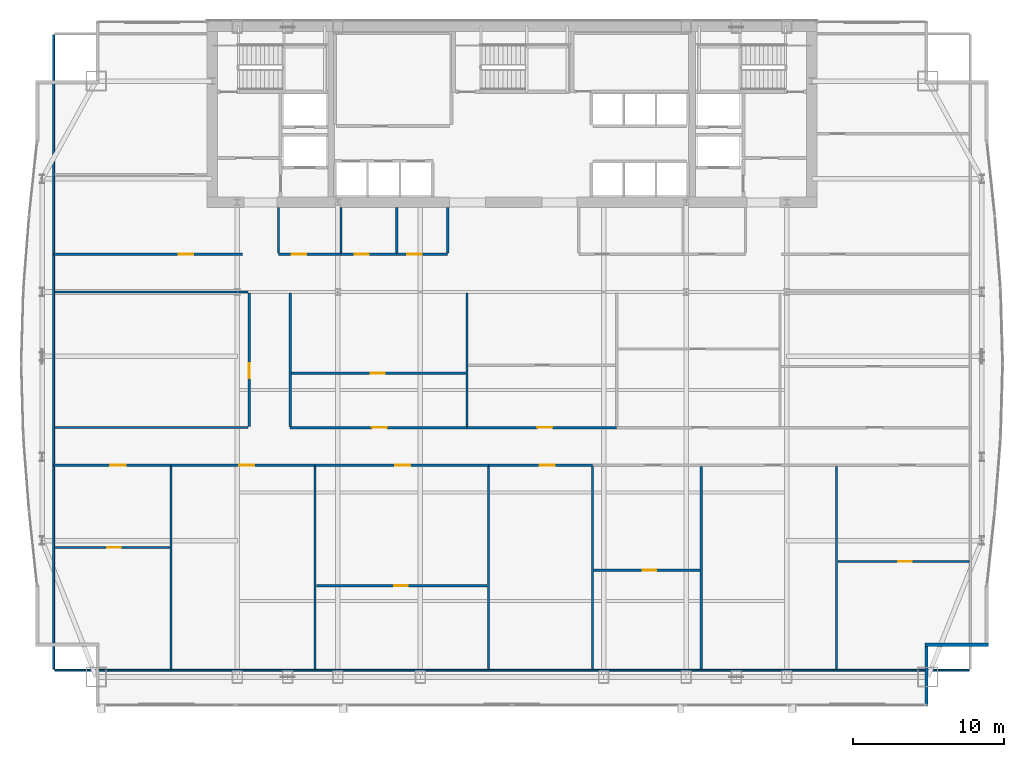
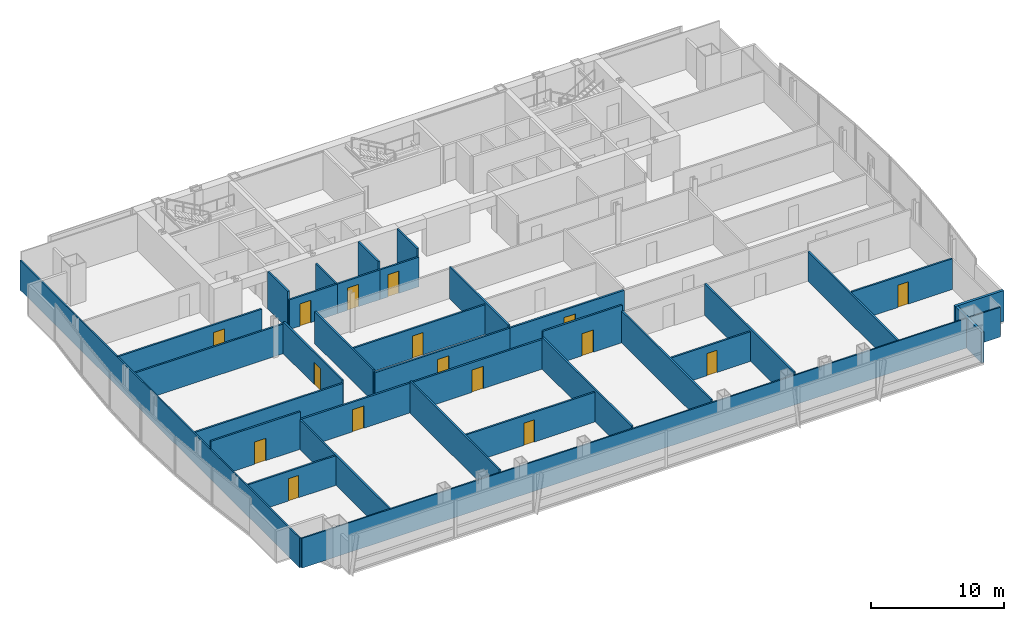
# One storey, part 24 of 29: 34 walls, 16 doors, 16 openings.
"""IFC4 building model written with IfcOpenShell, lengths in metres."""

from ifc_helpers import new_model, si_unit, direction, frame, frame_2d, origin, place, context, subcontext, project, spatial, rectangle, extrude, material, layer, layer_set, type_object, element, fill, save


model = new_model("IFC4")

# Units and contexts
model_context = context("Model", 3, precision=1e-05, world=origin(), true_north=direction((0.0, 1.0)))
body_context = subcontext(model_context, "Body", "Model", "MODEL_VIEW")
ifc_project = project(units=[si_unit("LENGTHUNIT", "METRE"), si_unit("AREAUNIT", "SQUARE_METRE"), si_unit("VOLUMEUNIT", "CUBIC_METRE"), si_unit("PLANEANGLEUNIT", "RADIAN"), si_unit("MASSUNIT", "GRAM", prefix="KILO")], contexts=[model_context])

# Site, building, storey
site_placement = place(None, origin())
site = spatial("IfcSite", under=ifc_project, at=site_placement, CompositionType="ELEMENT")
building_placement = place(site_placement, origin())
building = spatial("IfcBuilding", under=site, at=building_placement, Name="Khoronbel Lancet Exchange", CompositionType="ELEMENT")
storey_placement = place(building_placement, frame((0.0, 0.0, 143.39990234375)))
storey = spatial("IfcBuildingStorey", under=building, at=storey_placement, Name="L35", CompositionType="ELEMENT", Elevation=143.39990234375)

# Walls
ifc_material_1 = material(Name="Precast concrete C40/50", Category="concrete")
ifc_layer_1 = layer(ifc_material_1, 0.25, Name="Precast concrete C40/50")
ifc_layer_set_1 = layer_set([ifc_layer_1], Name="Precast concrete C40/50")
wall_type_1 = type_object("IfcWallType", Name="WL-EXT250", PredefinedType="SOLIDWALL", material=ifc_layer_set_1)
wall_1_placement = place(storey_placement, frame((68.070068359375, 12.2900390625, 0.0), z_axis=(0.0, 0.0, 1.0), x_axis=(-1.0, 0.0, 0.0)))
element("IfcWall", 1, at=wall_1_placement, inside=storey, type_object=wall_type_1, Name="Level L35 notched-corner limestone pier 24", PredefinedType="SOLIDWALL", context=body_context, shape_type="SweptSolid", body=[
    extrude(rectangle(XDim=4.219970703125, YDim=0.219970703125, at=frame_2d((2.10986328125, 0.0))), origin(), (0.0, 0.0, 1.0), 2.830078125),
])
wall_2_placement = place(storey_placement, frame((63.9599609375, 12.179931640625, 0.0), z_axis=(0.0, 0.0, 1.0), x_axis=(0.0, -1.0, 0.0)))
element("IfcWall", 2, at=wall_2_placement, inside=storey, type_object=wall_type_1, Name="Level L35 notched-corner limestone pier 25", PredefinedType="SOLIDWALL", context=body_context, shape_type="SweptSolid", body=[
    extrude(rectangle(XDim=3.909912109375, YDim=0.219970703125, at=frame_2d((1.955078125, 0.0))), origin(), (0.0, 0.0, 1.0), 2.830078125),
])
ifc_material_2 = material(Name="Acoustic Metal-Stud & Mineral-Wool Gypsum Partition 120 mm", Category="gypsum")
ifc_layer_2 = layer(ifc_material_2, 0.1201171875, Name="Acoustic Metal-Stud & Mineral-Wool Gypsum Partition 120 mm")
ifc_layer_set_2 = layer_set([ifc_layer_2], Name="Acoustic Metal-Stud & Mineral-Wool Gypsum Partition 120 mm")
wall_type_2 = type_object("IfcWallType", Name="WL-PRT120", PredefinedType="PARTITIONING", material=ifc_layer_set_2)
wall_3_placement = place(storey_placement, frame((20.949951171875, 38.280029296875, 0.0), z_axis=(0.0, 0.0, 1.0), x_axis=(0.0, 1.0, 0.0)))
element("IfcWall", 3, at=wall_3_placement, inside=storey, type_object=wall_type_2, Name="Level L35 interior partition PW-WC-0", PredefinedType="PARTITIONING", context=body_context, shape_type="SweptSolid", body=[
    extrude(rectangle(XDim=3.02001953125, YDim=0.14990234375, at=frame_2d((1.510009765625, 0.0))), origin(), (0.0, 0.0, 1.0), 3.440185546875),
])
wall_4_placement = place(storey_placement, frame((25.10009765625, 38.280029296875, 0.0), z_axis=(0.0, 0.0, 1.0), x_axis=(0.0, 1.0, 0.0)))
element("IfcWall", 4, at=wall_4_placement, inside=storey, type_object=wall_type_2, Name="Level L35 interior partition PW-WC-1", PredefinedType="PARTITIONING", context=body_context, shape_type="SweptSolid", body=[
    extrude(rectangle(XDim=3.02001953125, YDim=0.14990234375, at=frame_2d((1.510009765625, 0.0))), origin(), (0.0, 0.0, 1.0), 2.72998046875),
])
for number, where, z_axis, x_axis, name in (
    (5, (28.800048828125, 38.280029296875, 0.0), (0.0, 0.0, 1.0), (0.0, 1.0, 0.0), "Level L35 interior partition PW-WC-2"),
    (6, (32.179931640625, 38.280029296875, 0.0), (0.0, 0.0, 1.0), (0.0, 1.0, 0.0), "Level L35 interior partition PW-WC-3"),
):
    element("IfcWall", number, at=place(storey_placement, frame(where, z_axis=z_axis, x_axis=x_axis)), inside=storey, type_object=wall_type_2, Name=name, PredefinedType="PARTITIONING", context=body_context, shape_type="SweptSolid", body=[
        extrude(rectangle(XDim=3.02001953125, YDim=0.14990234375, at=frame_2d((1.510009765625, 0.0))), origin(), (0.0, 0.0, 1.0), 3.440185546875),
    ])

# Wall, opening, door
wall_5_placement = place(storey_placement, frame((6.094970703125, 18.7470703125, 0.0), z_axis=(0.0, 0.0, 1.0), x_axis=(1.0, 0.0, 0.0)))
wall_5 = element("IfcWall", 7, at=wall_5_placement, inside=storey, type_object=wall_type_2, Name="Level L35 interior partition PW-Z2S-H1", PredefinedType="PARTITIONING", context=body_context, shape_type="SweptSolid", body=[
    extrude(rectangle(XDim=7.644287109375, YDim=0.14990234375, at=frame_2d((3.822265625, 0.0))), origin(), (0.0, 0.0, 1.0), 2.72998046875),
])
opening_1_placement = place(wall_5_placement, frame((3.505126953125, 0.0, 0.0)))
opening_1 = element("IfcOpeningElement", 8, at=opening_1_placement, cuts=wall_5, Name="Opening D5", PredefinedType="OPENING", context=body_context, shape_type="SweptSolid", body=[
    extrude(rectangle(XDim=0.89990234375, YDim=2.050048828125, at=frame_2d((0.449951171875, 1.02490234375))), frame((0.0, 0.0849609375, 0.0), z_axis=(0.0, -1.0, 0.0), x_axis=(1.0, 0.0, 0.0)), (0.0, 0.0, 1.0), 0.169921875),
])
ifc_material_3 = material(Name="Acoustic Timber Pantry & Support Door", Category="wood")
door_type_1 = type_object("IfcDoorType", Name="DR-D5", OperationType="NOTDEFINED", PredefinedType="DOOR", material=ifc_material_3)
door_1_placement = place(opening_1_placement, origin())
door_1 = element("IfcDoor", 9, at=door_1_placement, inside=storey, type_object=door_type_1, Name="Z2S inner door 1 L35-1", OperationType="SINGLE_SWING_LEFT", OverallHeight=2.050048828125, OverallWidth=0.89990234375, PredefinedType="DOOR", context=body_context, shape_type="SweptSolid", body=[
    extrude(rectangle(XDim=0.89990234375, YDim=2.050048828125, at=frame_2d((0.449951171875, 1.02490234375))), frame((0.0, 0.02490234375, 0.0), z_axis=(0.0, -1.0, 0.0), x_axis=(1.0, 0.0, 0.0)), (0.0, 0.0, 1.0), 0.050048828125),
])
fill(opening_1, door_1)

wall_6_placement = place(storey_placement, frame((23.4619140625, 16.207275390625, 0.0), z_axis=(0.0, 0.0, 1.0), x_axis=(1.0, 0.0, 0.0)))
wall_6 = element("IfcWall", 10, at=wall_6_placement, inside=storey, type_object=wall_type_2, Name="Level L35 interior partition PW-Z2S-H3", PredefinedType="PARTITIONING", context=body_context, shape_type="SweptSolid", body=[
    extrude(rectangle(XDim=11.34423828125, YDim=0.14990234375, at=frame_2d((5.672119140625, 0.0))), origin(), (0.0, 0.0, 1.0), 2.72998046875),
])
opening_2_placement = place(wall_6_placement, frame((5.177001953125, 0.0, 0.0)))
opening_2 = element("IfcOpeningElement", 11, at=opening_2_placement, cuts=wall_6, Name="Opening D5", PredefinedType="OPENING", context=body_context, shape_type="SweptSolid", body=[
    extrude(rectangle(XDim=0.89990234375, YDim=2.050048828125, at=frame_2d((0.449951171875, 1.02490234375))), frame((0.0, 0.0849609375, 0.0), z_axis=(0.0, -1.0, 0.0), x_axis=(1.0, 0.0, 0.0)), (0.0, 0.0, 1.0), 0.169921875),
])
door_2_placement = place(opening_2_placement, origin())
door_2 = element("IfcDoor", 12, at=door_2_placement, inside=storey, type_object=door_type_1, Name="Z2S inner door 3 L35-1", OperationType="SINGLE_SWING_RIGHT", OverallHeight=2.050048828125, OverallWidth=0.89990234375, PredefinedType="DOOR", context=body_context, shape_type="SweptSolid", body=[
    extrude(rectangle(XDim=0.89990234375, YDim=2.050048828125, at=frame_2d((0.449951171875, 1.02490234375))), frame((0.0, 0.02490234375, 0.0), z_axis=(0.0, -1.0, 0.0), x_axis=(1.0, 0.0, 0.0)), (0.0, 0.0, 1.0), 0.050048828125),
])
fill(opening_2, door_2)

wall_7_placement = place(storey_placement, frame((41.86865234375, 17.237548828125, 0.0), z_axis=(0.0, 0.0, 1.0), x_axis=(1.0, 0.0, 0.0)))
wall_7 = element("IfcWall", 13, at=wall_7_placement, inside=storey, type_object=wall_type_2, Name="Level L35 interior partition PW-Z2S-H5", PredefinedType="PARTITIONING", context=body_context, shape_type="SweptSolid", body=[
    extrude(rectangle(XDim=7.053955078125, YDim=0.14990234375, at=frame_2d((3.52685546875, 0.0))), origin(), (0.0, 0.0, 1.0), 2.72998046875),
])
opening_3_placement = place(wall_7_placement, frame((3.246337890625, 0.0, 0.0)))
opening_3 = element("IfcOpeningElement", 14, at=opening_3_placement, cuts=wall_7, Name="Opening D5", PredefinedType="OPENING", context=body_context, shape_type="SweptSolid", body=[
    extrude(rectangle(XDim=0.89990234375, YDim=2.050048828125, at=frame_2d((0.449951171875, 1.02490234375))), frame((0.0, 0.0849609375, 0.0), z_axis=(0.0, -1.0, 0.0), x_axis=(1.0, 0.0, 0.0)), (0.0, 0.0, 1.0), 0.169921875),
])
door_3_placement = place(opening_3_placement, origin())
door_3 = element("IfcDoor", 15, at=door_3_placement, inside=storey, type_object=door_type_1, Name="Z2S inner door 5 L35-1", OperationType="SINGLE_SWING_LEFT", OverallHeight=2.050048828125, OverallWidth=0.89990234375, PredefinedType="DOOR", context=body_context, shape_type="SweptSolid", body=[
    extrude(rectangle(XDim=0.89990234375, YDim=2.050048828125, at=frame_2d((0.449951171875, 1.02490234375))), frame((0.0, 0.02490234375, 0.0), z_axis=(0.0, -1.0, 0.0), x_axis=(1.0, 0.0, 0.0)), (0.0, 0.0, 1.0), 0.050048828125),
])
fill(opening_3, door_3)

wall_8_placement = place(storey_placement, frame((58.0703125, 17.81103515625, 0.0), z_axis=(0.0, 0.0, 1.0), x_axis=(1.0, 0.0, 0.0)))
wall_8 = element("IfcWall", 16, at=wall_8_placement, inside=storey, type_object=wall_type_2, Name="Level L35 interior partition PW-Z2S-H7", PredefinedType="PARTITIONING", context=body_context, shape_type="SweptSolid", body=[
    extrude(rectangle(XDim=8.734619140625, YDim=0.14990234375, at=frame_2d((4.3671875, 0.0))), origin(), (0.0, 0.0, 1.0), 2.830078125),
])
opening_4_placement = place(wall_8_placement, frame((3.995849609375, 0.0, 0.0)))
opening_4 = element("IfcOpeningElement", 17, at=opening_4_placement, cuts=wall_8, Name="Opening D5", PredefinedType="OPENING", context=body_context, shape_type="SweptSolid", body=[
    extrude(rectangle(XDim=0.89990234375, YDim=2.050048828125, at=frame_2d((0.449951171875, 1.02490234375))), frame((0.0, 0.0849609375, 0.0), z_axis=(0.0, -1.0, 0.0), x_axis=(1.0, 0.0, 0.0)), (0.0, 0.0, 1.0), 0.169921875),
])
door_4_placement = place(opening_4_placement, origin())
door_4 = element("IfcDoor", 18, at=door_4_placement, inside=storey, type_object=door_type_1, Name="Z2S inner door 7 L35-1", OperationType="SINGLE_SWING_RIGHT", OverallHeight=2.050048828125, OverallWidth=0.89990234375, PredefinedType="DOOR", context=body_context, shape_type="SweptSolid", body=[
    extrude(rectangle(XDim=0.89990234375, YDim=2.050048828125, at=frame_2d((0.449951171875, 1.02490234375))), frame((0.0, 0.02490234375, 0.0), z_axis=(0.0, -1.0, 0.0), x_axis=(1.0, 0.0, 0.0)), (0.0, 0.0, 1.0), 0.050048828125),
])
fill(opening_4, door_4)

wall_9_placement = place(storey_placement, frame((21.81005859375, 30.300048828125, 0.0), z_axis=(0.0, 0.0, 1.0), x_axis=(1.0, 0.0, 0.0)))
wall_9 = element("IfcWall", 19, at=wall_9_placement, inside=storey, type_object=wall_type_2, Name="Level L35 interior partition PW-Z2N-H1", PredefinedType="PARTITIONING", context=body_context, shape_type="SweptSolid", body=[
    extrude(rectangle(XDim=11.576416015625, YDim=0.14990234375, at=frame_2d((5.7880859375, 0.0))), origin(), (0.0, 0.0, 1.0), 2.72998046875),
])
opening_5_placement = place(wall_9_placement, frame((5.281494140625, 0.0, 0.0)))
opening_5 = element("IfcOpeningElement", 20, at=opening_5_placement, cuts=wall_9, Name="Opening D5", PredefinedType="OPENING", context=body_context, shape_type="SweptSolid", body=[
    extrude(rectangle(XDim=0.89990234375, YDim=2.050048828125, at=frame_2d((0.449951171875, 1.02490234375))), frame((0.0, 0.0849609375, 0.0), z_axis=(0.0, -1.0, 0.0), x_axis=(1.0, 0.0, 0.0)), (0.0, 0.0, 1.0), 0.169921875),
])
door_5_placement = place(opening_5_placement, origin())
door_5 = element("IfcDoor", 21, at=door_5_placement, inside=storey, type_object=door_type_1, Name="Z2N inner door 1 L35-1", OperationType="SINGLE_SWING_LEFT", OverallHeight=2.050048828125, OverallWidth=0.89990234375, PredefinedType="DOOR", context=body_context, shape_type="SweptSolid", body=[
    extrude(rectangle(XDim=0.89990234375, YDim=2.050048828125, at=frame_2d((0.449951171875, 1.02490234375))), frame((0.0, 0.02490234375, 0.0), z_axis=(0.0, -1.0, 0.0), x_axis=(1.0, 0.0, 0.0)), (0.0, 0.0, 1.0), 0.050048828125),
])
fill(opening_5, door_5)

# Walls
wall_10_placement = place(storey_placement, frame((6.030029296875, 10.6650390625, 0.0), z_axis=(0.0, 0.0, 1.0), x_axis=(0.0, 1.0, 0.0)))
element("IfcWall", 22, at=wall_10_placement, inside=storey, type_object=wall_type_2, Name="Level L35 interior partition PW-LIN-W", PredefinedType="PARTITIONING", context=body_context, shape_type="SweptSolid", body=[
    extrude(rectangle(XDim=42.10986328125, YDim=0.1201171875, at=frame_2d((21.054931640625, 0.0))), origin(), (0.0, 0.0, 1.0), 2.72998046875),
])
wall_11_placement = place(storey_placement, frame((6.094970703125, 10.60009765625, 0.0), z_axis=(0.0, 0.0, 1.0), x_axis=(1.0, 0.0, 0.0)))
element("IfcWall", 23, at=wall_11_placement, inside=storey, type_object=wall_type_2, Name="Level L35 interior partition PW-LIN-S", PredefinedType="PARTITIONING", context=body_context, shape_type="SweptSolid", body=[
    extrude(rectangle(XDim=60.7099609375, YDim=0.1201171875, at=frame_2d((30.35498046875, 0.0))), origin(), (0.0, 0.0, 1.0), 2.72998046875),
])

# Wall, opening, door
ifc_material_4 = material(Name="Fire-Rated Twin-Stud Acoustic Gypsum Partition 150 mm", Category="gypsum")
ifc_layer_3 = layer(ifc_material_4, 0.14990234375, Name="Fire-Rated Twin-Stud Acoustic Gypsum Partition 150 mm")
ifc_layer_set_3 = layer_set([ifc_layer_3], Name="Fire-Rated Twin-Stud Acoustic Gypsum Partition 150 mm")
wall_type_3 = type_object("IfcWallType", Name="WL-PRT150C", PredefinedType="PARTITIONING", material=ifc_layer_set_3)
wall_12_placement = place(storey_placement, frame((20.949951171875, 38.199951171875, 0.0), z_axis=(0.0, 0.0, 1.0), x_axis=(1.0, 0.0, 0.0)))
wall_12 = element("IfcWall", 24, at=wall_12_placement, inside=storey, type_object=wall_type_3, Name="Level L35 interior partition PW-WC-S1", PredefinedType="PARTITIONING", context=body_context, shape_type="SweptSolid", body=[
    extrude(rectangle(XDim=4.150146484375, YDim=0.14990234375, at=frame_2d((2.0751953125, 0.0))), origin(), (0.0, 0.0, 1.0), 2.72998046875),
])
opening_6_placement = place(wall_12_placement, frame((0.89990234375, 0.0, 0.0)))
opening_6 = element("IfcOpeningElement", 25, at=opening_6_placement, cuts=wall_12, Name="Opening D4", PredefinedType="OPENING", context=body_context, shape_type="SweptSolid", body=[
    extrude(rectangle(XDim=0.949951171875, YDim=2.050048828125, at=frame_2d((0.47509765625, 1.02490234375))), frame((0.0, 0.0849609375, 0.0), z_axis=(0.0, -1.0, 0.0), x_axis=(1.0, 0.0, 0.0)), (0.0, 0.0, 1.0), 0.169921875),
])
ifc_material_5 = material(Name="Moisture-Resistant HPL Washroom Door", Category="wood")
door_type_2 = type_object("IfcDoorType", Name="DR-D4", OperationType="NOTDEFINED", PredefinedType="DOOR", material=ifc_material_5)
door_6_placement = place(opening_6_placement, origin())
door_6 = element("IfcDoor", 26, at=door_6_placement, inside=storey, type_object=door_type_2, Name="Male washroom door L35-1", OperationType="SINGLE_SWING_LEFT", OverallHeight=2.050048828125, OverallWidth=0.949951171875, PredefinedType="DOOR", context=body_context, shape_type="SweptSolid", body=[
    extrude(rectangle(XDim=0.949951171875, YDim=2.050048828125, at=frame_2d((0.47509765625, 1.02490234375))), frame((0.0, 0.02490234375, 0.0), z_axis=(0.0, -1.0, 0.0), x_axis=(1.0, 0.0, 0.0)), (0.0, 0.0, 1.0), 0.050048828125),
])
fill(opening_6, door_6)

wall_13_placement = place(storey_placement, frame((25.10009765625, 38.199951171875, 0.0), z_axis=(0.0, 0.0, 1.0), x_axis=(1.0, 0.0, 0.0)))
wall_13 = element("IfcWall", 27, at=wall_13_placement, inside=storey, type_object=wall_type_3, Name="Level L35 interior partition PW-WC-S2", PredefinedType="PARTITIONING", context=body_context, shape_type="SweptSolid", body=[
    extrude(rectangle(XDim=3.699951171875, YDim=0.14990234375, at=frame_2d((1.85009765625, 0.0))), origin(), (0.0, 0.0, 1.0), 2.72998046875),
])
opening_7_placement = place(wall_13_placement, frame((0.89990234375, 0.0, 0.0)))
opening_7 = element("IfcOpeningElement", 28, at=opening_7_placement, cuts=wall_13, Name="Opening D4", PredefinedType="OPENING", context=body_context, shape_type="SweptSolid", body=[
    extrude(rectangle(XDim=0.949951171875, YDim=2.050048828125, at=frame_2d((0.47509765625, 1.02490234375))), frame((0.0, 0.0849609375, 0.0), z_axis=(0.0, -1.0, 0.0), x_axis=(1.0, 0.0, 0.0)), (0.0, 0.0, 1.0), 0.169921875),
])
door_7_placement = place(opening_7_placement, origin())
door_7 = element("IfcDoor", 29, at=door_7_placement, inside=storey, type_object=door_type_2, Name="Female washroom door L35-1", OperationType="SINGLE_SWING_RIGHT", OverallHeight=2.050048828125, OverallWidth=0.949951171875, PredefinedType="DOOR", context=body_context, shape_type="SweptSolid", body=[
    extrude(rectangle(XDim=0.949951171875, YDim=2.050048828125, at=frame_2d((0.47509765625, 1.02490234375))), frame((0.0, 0.02490234375, 0.0), z_axis=(0.0, -1.0, 0.0), x_axis=(1.0, 0.0, 0.0)), (0.0, 0.0, 1.0), 0.050048828125),
])
fill(opening_7, door_7)

wall_14_placement = place(storey_placement, frame((28.800048828125, 38.199951171875, 0.0), z_axis=(0.0, 0.0, 1.0), x_axis=(1.0, 0.0, 0.0)))
wall_14 = element("IfcWall", 30, at=wall_14_placement, inside=storey, type_object=wall_type_3, Name="Level L35 interior partition PW-WC-S3", PredefinedType="PARTITIONING", context=body_context, shape_type="SweptSolid", body=[
    extrude(rectangle(XDim=3.3798828125, YDim=0.14990234375, at=frame_2d((1.68994140625, 0.0))), origin(), (0.0, 0.0, 1.0), 2.72998046875),
])
opening_8_placement = place(wall_14_placement, frame((0.699951171875, 0.0, 0.0)))
opening_8 = element("IfcOpeningElement", 31, at=opening_8_placement, cuts=wall_14, Name="Opening D4", PredefinedType="OPENING", context=body_context, shape_type="SweptSolid", body=[
    extrude(rectangle(XDim=0.949951171875, YDim=2.050048828125, at=frame_2d((0.47509765625, 1.02490234375))), frame((0.0, 0.0849609375, 0.0), z_axis=(0.0, -1.0, 0.0), x_axis=(1.0, 0.0, 0.0)), (0.0, 0.0, 1.0), 0.169921875),
])
door_8_placement = place(opening_8_placement, origin())
door_8 = element("IfcDoor", 32, at=door_8_placement, inside=storey, type_object=door_type_2, Name="Accessible WC door L35-1", OperationType="SINGLE_SWING_LEFT", OverallHeight=2.050048828125, OverallWidth=0.949951171875, PredefinedType="DOOR", context=body_context, shape_type="SweptSolid", body=[
    extrude(rectangle(XDim=0.949951171875, YDim=2.050048828125, at=frame_2d((0.47509765625, 1.02490234375))), frame((0.0, 0.02490234375, 0.0), z_axis=(0.0, -1.0, 0.0), x_axis=(1.0, 0.0, 0.0)), (0.0, 0.0, 1.0), 0.050048828125),
])
fill(opening_8, door_8)

wall_15_placement = place(storey_placement, frame((6.030029296875, 38.199951171875, 0.0), z_axis=(0.0, 0.0, 1.0), x_axis=(1.0, 0.0, 0.0)))
wall_15 = element("IfcWall", 33, at=wall_15_placement, inside=storey, type_object=wall_type_3, Name="Level L35 interior partition PW-NW-S", PredefinedType="PARTITIONING", context=body_context, shape_type="SweptSolid", body=[
    extrude(rectangle(XDim=12.52001953125, YDim=0.14990234375, at=frame_2d((6.260009765625, 0.0))), origin(), (0.0, 0.0, 1.0), 2.72998046875),
])
opening_9_placement = place(wall_15_placement, frame((8.320068359375, 0.0, 0.0)))
opening_9 = element("IfcOpeningElement", 34, at=opening_9_placement, cuts=wall_15, Name="Opening D1", PredefinedType="OPENING", context=body_context, shape_type="SweptSolid", body=[
    extrude(rectangle(XDim=0.949951171875, YDim=2.050048828125, at=frame_2d((0.47509765625, 1.02490234375))), frame((0.0, 0.0849609375, 0.0), z_axis=(0.0, -1.0, 0.0), x_axis=(1.0, 0.0, 0.0)), (0.0, 0.0, 1.0), 0.169921875),
])
ifc_material_6 = material(Name="Acoustic Veneered Timber & Bronze Frame Door", Category="wood")
door_type_3 = type_object("IfcDoorType", Name="DR-D1", OperationType="NOTDEFINED", PredefinedType="DOOR", material=ifc_material_6)
door_9_placement = place(opening_9_placement, origin())
door_9 = element("IfcDoor", 35, at=door_9_placement, inside=storey, type_object=door_type_3, Name="NW corner room door L35-1", OperationType="SINGLE_SWING_RIGHT", OverallHeight=2.050048828125, OverallWidth=0.949951171875, PredefinedType="DOOR", context=body_context, shape_type="SweptSolid", body=[
    extrude(rectangle(XDim=0.949951171875, YDim=2.050048828125, at=frame_2d((0.47509765625, 1.02490234375))), frame((0.0, 0.02490234375, 0.0), z_axis=(0.0, -1.0, 0.0), x_axis=(1.0, 0.0, 0.0)), (0.0, 0.0, 1.0), 0.050048828125),
])
fill(opening_9, door_9)

# Walls
wall_16_placement = place(storey_placement, frame((13.819091796875, 10.6650390625, 0.0), z_axis=(0.0, 0.0, 1.0), x_axis=(0.0, 1.0, 0.0)))
element("IfcWall", 36, at=wall_16_placement, inside=storey, type_object=wall_type_3, Name="Level L35 interior partition PW-Z2S-V1", PredefinedType="PARTITIONING", context=body_context, shape_type="SweptSolid", body=[
    extrude(rectangle(XDim=13.449951171875, YDim=0.14990234375, at=frame_2d((6.72509765625, 0.0))), origin(), (0.0, 0.0, 1.0), 2.72998046875),
])
for number, where, z_axis, x_axis, name in (
    (37, (23.382080078125, 10.6650390625, 0.0), (0.0, 0.0, 1.0), (0.0, 1.0, 0.0), "Level L35 interior partition PW-Z2S-V2"),
    (38, (34.88623046875, 10.6650390625, 0.0), (0.0, 0.0, 1.0), (0.0, 1.0, 0.0), "Level L35 interior partition PW-Z2S-V3"),
    (39, (41.78857421875, 10.6650390625, 0.0), (0.0, 0.0, 1.0), (0.0, 1.0, 0.0), "Level L35 interior partition PW-Z2S-V4"),
    (40, (49.002685546875, 10.6650390625, 0.0), (0.0, 0.0, 1.0), (0.0, 1.0, 0.0), "Level L35 interior partition PW-Z2S-V5"),
):
    element("IfcWall", number, at=place(storey_placement, frame(where, z_axis=z_axis, x_axis=x_axis)), inside=storey, type_object=wall_type_3, Name=name, PredefinedType="PARTITIONING", context=body_context, shape_type="SweptSolid", body=[
        extrude(rectangle(XDim=13.449951171875, YDim=0.14990234375, at=frame_2d((6.72509765625, 0.0))), origin(), (0.0, 0.0, 1.0), 2.93017578125),
    ])
wall_17_placement = place(storey_placement, frame((57.990234375, 10.6650390625, 0.0), z_axis=(0.0, 0.0, 1.0), x_axis=(0.0, 1.0, 0.0)))
element("IfcWall", 41, at=wall_17_placement, inside=storey, type_object=wall_type_3, Name="Level L35 interior partition PW-Z2S-V6", PredefinedType="PARTITIONING", context=body_context, shape_type="SweptSolid", body=[
    extrude(rectangle(XDim=13.449951171875, YDim=0.14990234375, at=frame_2d((6.72509765625, 0.0))), origin(), (0.0, 0.0, 1.0), 2.72998046875),
])

# Wall, opening, door
wall_18_placement = place(storey_placement, frame((19.02001953125, 26.780029296875, 0.0), z_axis=(0.0, 0.0, 1.0), x_axis=(0.0, 1.0, 0.0)))
wall_18 = element("IfcWall", 42, at=wall_18_placement, inside=storey, type_object=wall_type_3, Name="Level L35 interior partition PW-Z2-WLK", PredefinedType="PARTITIONING", context=body_context, shape_type="SweptSolid", body=[
    extrude(rectangle(XDim=8.840087890625, YDim=0.14990234375, at=frame_2d((4.419921875, 0.0))), origin(), (0.0, 0.0, 1.0), 2.93017578125),
])
opening_10_placement = place(wall_18_placement, frame((3.199951171875, 0.0, 0.0)))
opening_10 = element("IfcOpeningElement", 43, at=opening_10_placement, cuts=wall_18, Name="Opening D2", PredefinedType="OPENING", context=body_context, shape_type="SweptSolid", body=[
    extrude(rectangle(XDim=1.0, YDim=2.050048828125, at=frame_2d((0.5, 1.02490234375))), frame((0.0, 0.0849609375, 0.0), z_axis=(0.0, -1.0, 0.0), x_axis=(1.0, 0.0, 0.0)), (0.0, 0.0, 1.0), 0.169921875),
])
door_type_4 = type_object("IfcDoorType", Name="DR-D2", OperationType="NOTDEFINED", PredefinedType="DOOR", material=ifc_material_6)
door_10_placement = place(opening_10_placement, origin())
door_10 = element("IfcDoor", 44, at=door_10_placement, inside=storey, type_object=door_type_4, Name="West mid-band room door L35-1", OperationType="SINGLE_SWING_LEFT", OverallHeight=2.050048828125, OverallWidth=1.0, PredefinedType="DOOR", context=body_context, shape_type="SweptSolid", body=[
    extrude(rectangle(XDim=1.0, YDim=2.050048828125, at=frame_2d((0.5, 1.02490234375))), frame((0.0, 0.02490234375, 0.0), z_axis=(0.0, -1.0, 0.0), x_axis=(1.0, 0.0, 0.0)), (0.0, 0.0, 1.0), 0.050048828125),
])
fill(opening_10, door_10)

# Walls
for number, where, z_axis, x_axis, name in (
    (45, (6.094970703125, 26.699951171875, 0.0), (0.0, 0.0, 1.0), (1.0, 0.0, 0.0), "Level L35 interior partition PW-Z2-WS"),
    (46, (6.094970703125, 35.699951171875, 0.0), (0.0, 0.0, 1.0), (1.0, 0.0, 0.0), "Level L35 interior partition PW-Z2-WN"),
):
    element("IfcWall", number, at=place(storey_placement, frame(where, z_axis=z_axis, x_axis=x_axis)), inside=storey, type_object=wall_type_3, Name=name, PredefinedType="PARTITIONING", context=body_context, shape_type="SweptSolid", body=[
        extrude(rectangle(XDim=12.844970703125, YDim=0.14990234375, at=frame_2d((6.42236328125, 0.0))), origin(), (0.0, 0.0, 1.0), 2.72998046875),
    ])
for number, where, z_axis, x_axis, name in (
    (47, (21.72998046875, 26.784912109375, 0.0), (0.0, 0.0, 1.0), (0.0, 1.0, 0.0), "Level L35 interior partition PW-Z2-ELK"),
    (48, (33.46630859375, 26.784912109375, 0.0), (0.0, 0.0, 1.0), (0.0, 1.0, 0.0), "Level L35 interior partition PW-Z2N-V1"),
):
    element("IfcWall", number, at=place(storey_placement, frame(where, z_axis=z_axis, x_axis=x_axis)), inside=storey, type_object=wall_type_3, Name=name, PredefinedType="PARTITIONING", context=body_context, shape_type="SweptSolid", body=[
        extrude(rectangle(XDim=8.835205078125, YDim=0.14990234375, at=frame_2d((4.41748046875, 0.0))), origin(), (0.0, 0.0, 1.0), 2.93017578125),
    ])

# Wall, opening, door
ifc_material_7 = material(Name="Fire-Rated Twin-Stud Acoustic Gypsum Partition 160 mm", Category="gypsum")
ifc_layer_4 = layer(ifc_material_7, 0.159912109375, Name="Fire-Rated Twin-Stud Acoustic Gypsum Partition 160 mm")
ifc_layer_set_4 = layer_set([ifc_layer_4], Name="Fire-Rated Twin-Stud Acoustic Gypsum Partition 160 mm")
wall_type_4 = type_object("IfcWallType", Name="WL-PRT160C", PredefinedType="PARTITIONING", material=ifc_layer_set_4)
wall_19_placement = place(storey_placement, frame((6.030029296875, 24.199951171875, 0.0), z_axis=(0.0, 0.0, 1.0), x_axis=(1.0, 0.0, 0.0)))
wall_19 = element("IfcWall", 49, at=wall_19_placement, inside=storey, type_object=wall_type_4, Name="Level L35 interior partition PW-Z2S-COR1", PredefinedType="PARTITIONING", context=body_context, shape_type="SweptSolid", body=[
    extrude(rectangle(XDim=7.7890625, YDim=0.159912109375, at=frame_2d((3.89453125, 0.0))), origin(), (0.0, 0.0, 1.0), 3.440185546875),
])
opening_11_placement = place(wall_19_placement, frame((3.771484375, 0.0, 0.0)))
opening_11 = element("IfcOpeningElement", 50, at=opening_11_placement, cuts=wall_19, Name="Opening D2", PredefinedType="OPENING", context=body_context, shape_type="SweptSolid", body=[
    extrude(rectangle(XDim=1.0, YDim=2.050048828125, at=frame_2d((0.5, 1.02490234375))), frame((0.0, 0.08984375, 0.0), z_axis=(0.0, -1.0, 0.0), x_axis=(1.0, 0.0, 0.0)), (0.0, 0.0, 1.0), 0.179931640625),
])
door_11_placement = place(opening_11_placement, origin())
door_11 = element("IfcDoor", 51, at=door_11_placement, inside=storey, type_object=door_type_4, Name="Z2S bay 1 door L35-1", OperationType="SINGLE_SWING_RIGHT", OverallHeight=2.050048828125, OverallWidth=1.0, PredefinedType="DOOR", context=body_context, shape_type="SweptSolid", body=[
    extrude(rectangle(XDim=1.0, YDim=2.050048828125, at=frame_2d((0.5, 1.02490234375))), frame((0.0, 0.02490234375, 0.0), z_axis=(0.0, -1.0, 0.0), x_axis=(1.0, 0.0, 0.0)), (0.0, 0.0, 1.0), 0.050048828125),
])
fill(opening_11, door_11)

wall_20_placement = place(storey_placement, frame((13.819091796875, 24.199951171875, 0.0), z_axis=(0.0, 0.0, 1.0), x_axis=(1.0, 0.0, 0.0)))
wall_20 = element("IfcWall", 52, at=wall_20_placement, inside=storey, type_object=wall_type_4, Name="Level L35 interior partition PW-Z2S-COR2", PredefinedType="PARTITIONING", context=body_context, shape_type="SweptSolid", body=[
    extrude(rectangle(XDim=9.56298828125, YDim=0.159912109375, at=frame_2d((4.781494140625, 0.0))), origin(), (0.0, 0.0, 1.0), 2.72998046875),
])
opening_12_placement = place(wall_20_placement, frame((4.516357421875, 0.0, 0.0)))
opening_12 = element("IfcOpeningElement", 53, at=opening_12_placement, cuts=wall_20, Name="Opening D2", PredefinedType="OPENING", context=body_context, shape_type="SweptSolid", body=[
    extrude(rectangle(XDim=1.0, YDim=2.050048828125, at=frame_2d((0.5, 1.02490234375))), frame((0.0, 0.08984375, 0.0), z_axis=(0.0, -1.0, 0.0), x_axis=(1.0, 0.0, 0.0)), (0.0, 0.0, 1.0), 0.179931640625),
])
door_12_placement = place(opening_12_placement, origin())
door_12 = element("IfcDoor", 54, at=door_12_placement, inside=storey, type_object=door_type_4, Name="Z2S bay 2 door L35-1", OperationType="SINGLE_SWING_RIGHT", OverallHeight=2.050048828125, OverallWidth=1.0, PredefinedType="DOOR", context=body_context, shape_type="SweptSolid", body=[
    extrude(rectangle(XDim=1.0, YDim=2.050048828125, at=frame_2d((0.5, 1.02490234375))), frame((0.0, 0.02490234375, 0.0), z_axis=(0.0, -1.0, 0.0), x_axis=(1.0, 0.0, 0.0)), (0.0, 0.0, 1.0), 0.050048828125),
])
fill(opening_12, door_12)

wall_21_placement = place(storey_placement, frame((23.382080078125, 24.199951171875, 0.0), z_axis=(0.0, 0.0, 1.0), x_axis=(1.0, 0.0, 0.0)))
wall_21 = element("IfcWall", 55, at=wall_21_placement, inside=storey, type_object=wall_type_4, Name="Level L35 interior partition PW-Z2S-COR3", PredefinedType="PARTITIONING", context=body_context, shape_type="SweptSolid", body=[
    extrude(rectangle(XDim=11.504150390625, YDim=0.159912109375, at=frame_2d((5.751953125, 0.0))), origin(), (0.0, 0.0, 1.0), 2.72998046875),
])
opening_13_placement = place(wall_21_placement, frame((5.331787109375, 0.0, 0.0)))
opening_13 = element("IfcOpeningElement", 56, at=opening_13_placement, cuts=wall_21, Name="Opening D2", PredefinedType="OPENING", context=body_context, shape_type="SweptSolid", body=[
    extrude(rectangle(XDim=1.0, YDim=2.050048828125, at=frame_2d((0.5, 1.02490234375))), frame((0.0, 0.08984375, 0.0), z_axis=(0.0, -1.0, 0.0), x_axis=(1.0, 0.0, 0.0)), (0.0, 0.0, 1.0), 0.179931640625),
])
door_13_placement = place(opening_13_placement, origin())
door_13 = element("IfcDoor", 57, at=door_13_placement, inside=storey, type_object=door_type_4, Name="Z2S bay 3 door L35-1", OperationType="SINGLE_SWING_LEFT", OverallHeight=2.050048828125, OverallWidth=1.0, PredefinedType="DOOR", context=body_context, shape_type="SweptSolid", body=[
    extrude(rectangle(XDim=1.0, YDim=2.050048828125, at=frame_2d((0.5, 1.02490234375))), frame((0.0, 0.02490234375, 0.0), z_axis=(0.0, -1.0, 0.0), x_axis=(1.0, 0.0, 0.0)), (0.0, 0.0, 1.0), 0.050048828125),
])
fill(opening_13, door_13)

wall_22_placement = place(storey_placement, frame((34.88623046875, 24.199951171875, 0.0), z_axis=(0.0, 0.0, 1.0), x_axis=(1.0, 0.0, 0.0)))
wall_22 = element("IfcWall", 58, at=wall_22_placement, inside=storey, type_object=wall_type_4, Name="Level L35 interior partition PW-Z2S-COR4", PredefinedType="PARTITIONING", context=body_context, shape_type="SweptSolid", body=[
    extrude(rectangle(XDim=6.90234375, YDim=0.159912109375, at=frame_2d((3.451171875, 0.0))), origin(), (0.0, 0.0, 1.0), 3.440185546875),
])
opening_14_placement = place(wall_22_placement, frame((3.39892578125, 0.0, 0.0)))
opening_14 = element("IfcOpeningElement", 59, at=opening_14_placement, cuts=wall_22, Name="Opening D2", PredefinedType="OPENING", context=body_context, shape_type="SweptSolid", body=[
    extrude(rectangle(XDim=1.0, YDim=2.050048828125, at=frame_2d((0.5, 1.02490234375))), frame((0.0, 0.08984375, 0.0), z_axis=(0.0, -1.0, 0.0), x_axis=(1.0, 0.0, 0.0)), (0.0, 0.0, 1.0), 0.179931640625),
])
door_14_placement = place(opening_14_placement, origin())
door_14 = element("IfcDoor", 60, at=door_14_placement, inside=storey, type_object=door_type_4, Name="Z2S bay 4 door L35-1", OperationType="SINGLE_SWING_LEFT", OverallHeight=2.050048828125, OverallWidth=1.0, PredefinedType="DOOR", context=body_context, shape_type="SweptSolid", body=[
    extrude(rectangle(XDim=1.0, YDim=2.050048828125, at=frame_2d((0.5, 1.02490234375))), frame((0.0, 0.02490234375, 0.0), z_axis=(0.0, -1.0, 0.0), x_axis=(1.0, 0.0, 0.0)), (0.0, 0.0, 1.0), 0.050048828125),
])
fill(opening_14, door_14)

wall_23_placement = place(storey_placement, frame((21.72998046875, 26.699951171875, 0.0), z_axis=(0.0, 0.0, 1.0), x_axis=(1.0, 0.0, 0.0)))
wall_23 = element("IfcWall", 61, at=wall_23_placement, inside=storey, type_object=wall_type_4, Name="Level L35 interior partition PW-Z2N-COR1", PredefinedType="PARTITIONING", context=body_context, shape_type="SweptSolid", body=[
    extrude(rectangle(XDim=11.736328125, YDim=0.159912109375, at=frame_2d((5.8681640625, 0.0))), origin(), (0.0, 0.0, 1.0), 2.72998046875),
])
opening_15_placement = place(wall_23_placement, frame((5.42919921875, 0.0, 0.0)))
opening_15 = element("IfcOpeningElement", 62, at=opening_15_placement, cuts=wall_23, Name="Opening D2", PredefinedType="OPENING", context=body_context, shape_type="SweptSolid", body=[
    extrude(rectangle(XDim=1.0, YDim=2.050048828125, at=frame_2d((0.5, 1.02490234375))), frame((0.0, 0.08984375, 0.0), z_axis=(0.0, -1.0, 0.0), x_axis=(1.0, 0.0, 0.0)), (0.0, 0.0, 1.0), 0.179931640625),
])
door_15_placement = place(opening_15_placement, origin())
door_15 = element("IfcDoor", 63, at=door_15_placement, inside=storey, type_object=door_type_4, Name="Z2N bay 1 door L35-1", OperationType="SINGLE_SWING_RIGHT", OverallHeight=2.050048828125, OverallWidth=1.0, PredefinedType="DOOR", context=body_context, shape_type="SweptSolid", body=[
    extrude(rectangle(XDim=1.0, YDim=2.050048828125, at=frame_2d((0.5, 1.02490234375))), frame((0.0, 0.02490234375, 0.0), z_axis=(0.0, -1.0, 0.0), x_axis=(1.0, 0.0, 0.0)), (0.0, 0.0, 1.0), 0.050048828125),
])
fill(opening_15, door_15)

wall_24_placement = place(storey_placement, frame((33.46630859375, 26.699951171875, 0.0), z_axis=(0.0, 0.0, 1.0), x_axis=(1.0, 0.0, 0.0)))
wall_24 = element("IfcWall", 64, at=wall_24_placement, inside=storey, type_object=wall_type_4, Name="Level L35 interior partition PW-Z2N-COR2", PredefinedType="PARTITIONING", context=body_context, shape_type="SweptSolid", body=[
    extrude(rectangle(XDim=9.930908203125, YDim=0.159912109375, at=frame_2d((4.96533203125, 0.0))), origin(), (0.0, 0.0, 1.0), 2.72998046875),
])
opening_16_placement = place(wall_24_placement, frame((4.6708984375, 0.0, 0.0)))
opening_16 = element("IfcOpeningElement", 65, at=opening_16_placement, cuts=wall_24, Name="Opening D2", PredefinedType="OPENING", context=body_context, shape_type="SweptSolid", body=[
    extrude(rectangle(XDim=1.0, YDim=2.050048828125, at=frame_2d((0.5, 1.02490234375))), frame((0.0, 0.08984375, 0.0), z_axis=(0.0, -1.0, 0.0), x_axis=(1.0, 0.0, 0.0)), (0.0, 0.0, 1.0), 0.179931640625),
])
door_16_placement = place(opening_16_placement, origin())
door_16 = element("IfcDoor", 66, at=door_16_placement, inside=storey, type_object=door_type_4, Name="Z2N bay 2 door L35-1", OperationType="SINGLE_SWING_RIGHT", OverallHeight=2.050048828125, OverallWidth=1.0, PredefinedType="DOOR", context=body_context, shape_type="SweptSolid", body=[
    extrude(rectangle(XDim=1.0, YDim=2.050048828125, at=frame_2d((0.5, 1.02490234375))), frame((0.0, 0.02490234375, 0.0), z_axis=(0.0, -1.0, 0.0), x_axis=(1.0, 0.0, 0.0)), (0.0, 0.0, 1.0), 0.050048828125),
])
fill(opening_16, door_16)

save(model, "model.ifc")
